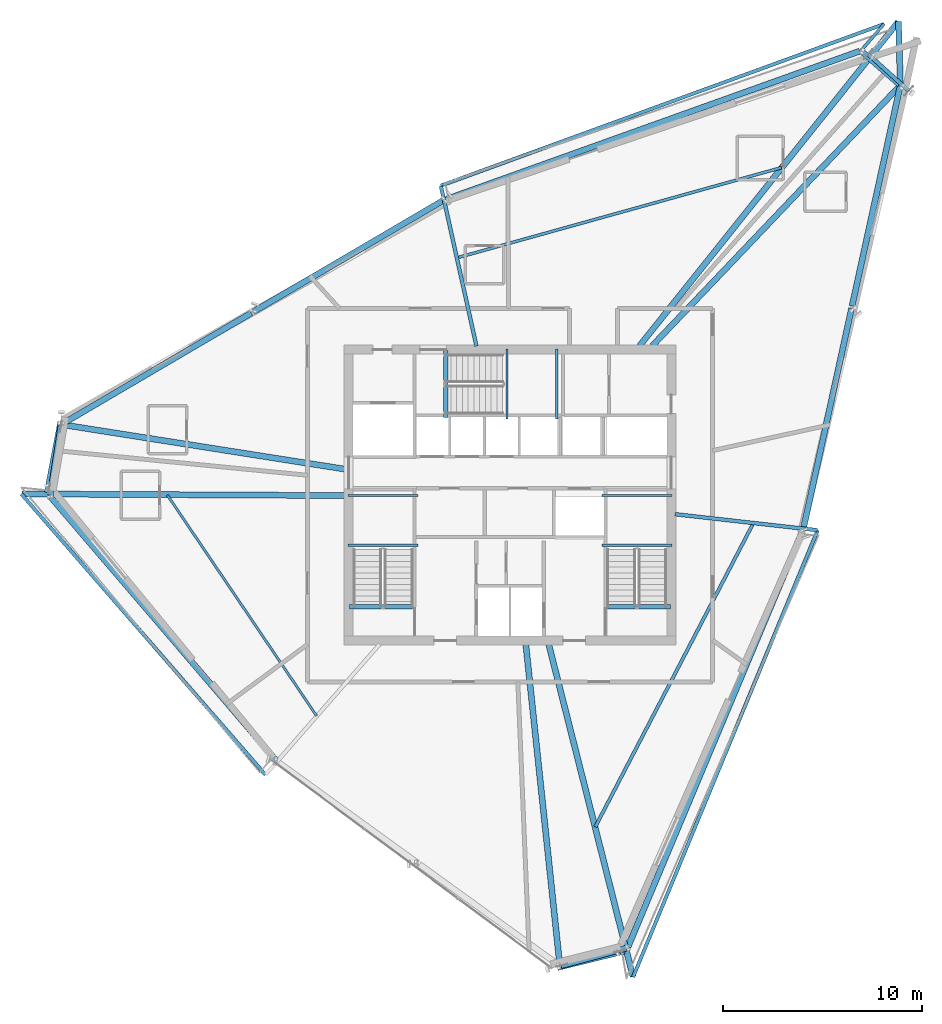
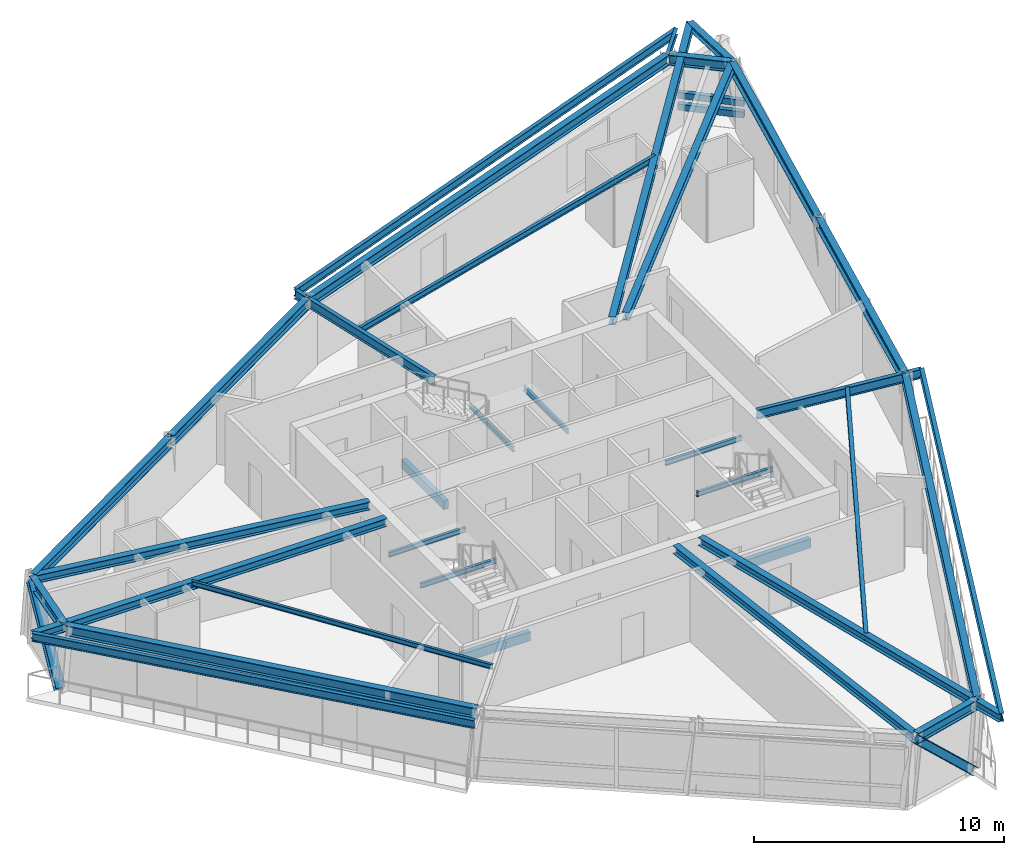
# One storey, part 4 of 14: 35 beams, 4 members.
"""IFC4 building model written with IfcOpenShell, lengths in metres."""

import ifcopenshell
import ifcopenshell.guid

model = None  # the IFC model being written
_history = None  # IfcOwnerHistory: only IFC2X3 demands one
_inside = {}  # id of a spatial element -> (the spatial element, [elements in it])
_under = {}  # id of a project, library or spatial element -> (it, [spatial elements below it])
_declared = {}  # id of a project -> (the project, [libraries it declares])
_typed = {}  # id of a type object -> (the type object, [elements of that type])
_made_of = {}  # id of a material, layer set ... -> (it, [elements and type objects made of it])


def new_model(schema):
    """Start an empty IFC model of exactly this schema.

    Asked for "IFC4X3", IfcOpenShell would pick the latest addendum, in which some entities
    have other attributes; the version numbers below select the first issue.
    IFC2X3 requires an IfcOwnerHistory on every rooted entity: one is made here for all.
    """
    global model, _history
    if schema == "IFC4X3":
        model = ifcopenshell.file(schema_version=(4, 3, 0, 0))
    else:
        model = ifcopenshell.file(schema=schema)
    _inside.clear()
    _under.clear()
    _declared.clear()
    _typed.clear()
    _made_of.clear()
    _history = None
    if model.schema == "IFC2X3":
        org = make("IfcOrganization", Name="unknown")
        user = make(
            "IfcPersonAndOrganization",
            ThePerson=make("IfcPerson", FamilyName="unknown"),
            TheOrganization=org,
        )
        app = make(
            "IfcApplication",
            ApplicationDeveloper=org,
            Version="unknown",
            ApplicationFullName="unknown",
            ApplicationIdentifier="unknown",
        )
        _history = make(
            "IfcOwnerHistory",
            OwningUser=user,
            OwningApplication=app,
            ChangeAction="ADDED",
            CreationDate=0,
        )
    return model


def make(cls, **values):
    """One entity of the class cls with the attributes given. An attribute that is None is left unset."""
    return model.create_entity(
        cls, **{name: value for name, value in values.items() if value is not None}
    )


def rooted(cls, **values):
    """An entity with a GlobalId (a new one), such as an element, a storey or a relation."""
    return make(cls, GlobalId=ifcopenshell.guid.new(), OwnerHistory=_history, **values)


def si_unit(unit_type, name, prefix=None):
    """IfcSIUnit, for example si_unit("LENGTHUNIT", "METRE", prefix="MILLI")."""
    return make("IfcSIUnit", UnitType=unit_type, Prefix=prefix, Name=name)


def assignment(units):
    """IfcUnitAssignment: the units of a project."""
    return None if units is None else make("IfcUnitAssignment", Units=units)


def point(xyz):
    """IfcCartesianPoint."""
    return None if xyz is None else make("IfcCartesianPoint", Coordinates=xyz)


def direction(xyz):
    """IfcDirection."""
    return None if xyz is None else make("IfcDirection", DirectionRatios=xyz)


def frame(location, z_axis=None, x_axis=None):
    """IfcAxis2Placement3D, a coordinate frame: its origin and axes. An axis left out is left unset."""
    return make(
        "IfcAxis2Placement3D",
        Location=point(location),
        Axis=direction(z_axis),
        RefDirection=direction(x_axis),
    )


def frame_2d(location, x_axis=None):
    """IfcAxis2Placement2D, a coordinate frame in the plane: its origin and x axis."""
    return make(
        "IfcAxis2Placement2D", Location=point(location), RefDirection=direction(x_axis)
    )


def origin():
    """The frame at (0, 0, 0) with its axes left unset."""
    return frame((0.0, 0.0, 0.0))


def origin_2d():
    """The frame at (0, 0) in the plane with its x axis left unset."""
    return frame_2d((0.0, 0.0))


def place(relative_to, where):
    """IfcLocalPlacement: puts the frame where relative to a parent placement (None: the world)."""
    return make(
        "IfcLocalPlacement", PlacementRelTo=relative_to, RelativePlacement=where
    )


def context(
    kind, dimensions, precision=None, world=None, true_north=None, identifier=None
):
    """IfcGeometricRepresentationContext, for example the 3D "Model" context."""
    return make(
        "IfcGeometricRepresentationContext",
        ContextIdentifier=identifier,
        ContextType=kind,
        CoordinateSpaceDimension=dimensions,
        Precision=precision,
        WorldCoordinateSystem=world,
        TrueNorth=true_north,
    )


def subcontext(parent, identifier, kind, view, scale=None):
    """IfcGeometricRepresentationSubContext, for example "Body" below "Model"."""
    return make(
        "IfcGeometricRepresentationSubContext",
        ContextIdentifier=identifier,
        ContextType=kind,
        ParentContext=parent,
        TargetScale=scale,
        TargetView=view,
    )


def project(units=None, contexts=None):
    """IfcProject with its units and contexts."""
    return rooted(
        "IfcProject",
        Name="project",
        RepresentationContexts=contexts,
        UnitsInContext=assignment(units),
    )


def spatial(cls, under=None, at=None, **own):
    """A site, building, storey or space (cls), placed at a placement, below another one or the project."""
    s = rooted(cls, ObjectPlacement=at, **own)
    if under is not None:
        _under.setdefault(under.id(), (under, []))[1].append(s)
    return s


def profile(cls, at=None, kind="AREA", **sizes):
    """A parametric profile (cls). Its sizes go by their IFC names, for example OverallWidth=200.0."""
    return make(cls, ProfileType=kind, Position=at, **sizes)


def rectangle(**sizes):
    """IfcRectangleProfileDef."""
    return profile("IfcRectangleProfileDef", **sizes)


def hollow_rectangle(**sizes):
    """IfcRectangleHollowProfileDef."""
    return profile("IfcRectangleHollowProfileDef", **sizes)


def i_section(**sizes):
    """IfcIShapeProfileDef."""
    return profile("IfcIShapeProfileDef", **sizes)


def extrude(swept, where, along, depth):
    """IfcExtrudedAreaSolid: the profile swept, set in the frame where, extruded along a direction by depth."""
    return make(
        "IfcExtrudedAreaSolid",
        SweptArea=swept,
        Position=where,
        ExtrudedDirection=direction(along),
        Depth=depth,
    )


def shape(context_of_items, identifier, shape_type, items):
    """IfcShapeRepresentation: the items that make up one representation, for example the "Body"."""
    return make(
        "IfcShapeRepresentation",
        ContextOfItems=context_of_items,
        RepresentationIdentifier=identifier,
        RepresentationType=shape_type,
        Items=items,
    )


def source(mapping_origin, context_of_items, identifier, shape_type, items):
    """IfcRepresentationMap: a shape defined once, which mapped items show again and again."""
    return make(
        "IfcRepresentationMap",
        MappingOrigin=mapping_origin,
        MappedRepresentation=shape(context_of_items, identifier, shape_type, items),
    )


def transform(
    local_origin,
    x_axis=None,
    y_axis=None,
    z_axis=None,
    scale=None,
    scale2=None,
    scale3=None,
    uniform=True,
):
    """IfcCartesianTransformationOperator3D, or its non-uniform kind. x_axis, y_axis, z_axis: its Axis1, 2, 3."""
    if uniform:
        return make(
            "IfcCartesianTransformationOperator3D",
            Axis1=direction(x_axis),
            Axis2=direction(y_axis),
            LocalOrigin=point(local_origin),
            Scale=scale,
            Axis3=direction(z_axis),
        )
    return make(
        "IfcCartesianTransformationOperator3DnonUniform",
        Axis1=direction(x_axis),
        Axis2=direction(y_axis),
        LocalOrigin=point(local_origin),
        Scale=scale,
        Axis3=direction(z_axis),
        Scale2=scale2,
        Scale3=scale3,
    )


def mapped(mapping_source, mapping_target):
    """IfcMappedItem: shows the shape of a source again, moved by a transform."""
    return make(
        "IfcMappedItem", MappingSource=mapping_source, MappingTarget=mapping_target
    )


def material(Name=None, Category=None):
    """IfcMaterial."""
    return make("IfcMaterial", Name=Name, Category=Category)


def material_profile(
    of_material, cross_section, Name=None, Category=None, Priority=None
):
    """IfcMaterialProfile: a cross section and its material."""
    return make(
        "IfcMaterialProfile",
        Name=Name,
        Material=of_material,
        Profile=cross_section,
        Priority=Priority,
        Category=Category,
    )


def profile_set(profiles, Name=None, composite=None):
    """IfcMaterialProfileSet."""
    return make(
        "IfcMaterialProfileSet",
        Name=Name,
        MaterialProfiles=profiles,
        CompositeProfile=composite,
    )


def made_of(thing, what):
    """Note that an element or type object is made of a material, layer set ...; save() writes the relation."""
    if what is not None:
        _made_of.setdefault(what.id(), (what, []))[1].append(thing)
    return thing


def type_object(cls, material=None, **own):
    """A type object (cls), such as IfcWallType, which elements share."""
    return made_of(rooted(cls, **own), material)


def element(
    cls,
    number,
    at=None,
    inside=None,
    cuts=None,
    type_object=None,
    material=None,
    context=None,
    identifier="Body",
    shape_type=None,
    held_by="IfcProductDefinitionShape",
    body=None,
    shapes=None,
    **own,
):
    """One element of the class cls, such as IfcWall. Its Tag is "e" and its number.

    at: its placement. inside: the storey or other place that contains it. cuts: it is an
    opening in that element (IfcRelVoidsElement). A single representation is given by context,
    identifier, shape_type and body (its items); several are given by shapes. held_by: the class
    of the entity that holds the representations. save() writes the other relations.
    """
    e = rooted(cls, Tag="e%d" % number, ObjectPlacement=at, **own)
    if body is not None:
        shapes = [shape(context, identifier, shape_type, body)]
    if shapes is not None:
        e.Representation = make(held_by, Representations=shapes)
    if inside is not None:
        _inside.setdefault(inside.id(), (inside, []))[1].append(e)
    if cuts is not None:
        rooted(
            "IfcRelVoidsElement", RelatingBuildingElement=cuts, RelatedOpeningElement=e
        )
    if type_object is not None:
        _typed.setdefault(type_object.id(), (type_object, []))[1].append(e)
    return made_of(e, material)


def aggregate(whole, parts):
    """IfcRelAggregates: a whole, such as a stair, and the parts it consists of."""
    return rooted("IfcRelAggregates", RelatingObject=whole, RelatedObjects=parts)


def save(model, path):
    """Write the relations noted so far, then the file.

    IfcRelAggregates (storeys below a building ...), IfcRelContainedInSpatialStructure (elements
    in a storey), IfcRelDefinesByType, IfcRelAssociatesMaterial and IfcRelDeclares: one each for
    every whole, place, type object, material and project.
    """
    for whole, parts in _under.values():
        aggregate(whole, parts)
    for where, things in _inside.values():
        rooted(
            "IfcRelContainedInSpatialStructure",
            RelatedElements=things,
            RelatingStructure=where,
        )
    for kind, things in _typed.values():
        rooted("IfcRelDefinesByType", RelatedObjects=things, RelatingType=kind)
    for what, things in _made_of.values():
        rooted("IfcRelAssociatesMaterial", RelatedObjects=things, RelatingMaterial=what)
    for by, libraries in _declared.values():
        rooted("IfcRelDeclares", RelatingContext=by, RelatedDefinitions=libraries)
    model.write(path)


model = new_model("IFC4")

# Units and contexts
model_context = context("Model", 3, precision=1e-05, world=origin(), true_north=direction((0.0, 1.0)))
body_context = subcontext(model_context, "Body", "Model", "MODEL_VIEW")
ifc_project = project(units=[si_unit("LENGTHUNIT", "METRE"), si_unit("AREAUNIT", "SQUARE_METRE"), si_unit("VOLUMEUNIT", "CUBIC_METRE"), si_unit("PLANEANGLEUNIT", "RADIAN"), si_unit("MASSUNIT", "GRAM", prefix="KILO")], contexts=[model_context])

# Site, building, storey
site_placement = place(None, origin())
site = spatial("IfcSite", under=ifc_project, at=site_placement, CompositionType="ELEMENT")
building_placement = place(site_placement, origin())
building = spatial("IfcBuilding", under=site, at=building_placement, Name="Olszyna Solenne Hotel", CompositionType="ELEMENT")
storey_placement = place(building_placement, frame((0.0, 0.0, 230.89990234375)))
storey = spatial("IfcBuildingStorey", under=building, at=storey_placement, Name="L61", CompositionType="ELEMENT", Elevation=230.89990234375)

# Beams
ifc_material_1 = material(Name="Steel S355J2", Category="steel")
ifc_material_profile_1 = material_profile(ifc_material_1, i_section(OverallWidth=0.14990234375, OverallDepth=0.300048828125, WebThickness=0.007080078125, FlangeThickness=0.0107421875, at=origin_2d()), Name="IPE 300", Category="load-bearing")
ifc_profile_set_1 = profile_set([ifc_material_profile_1], Name="Steel S355J2")
beam_type_1 = type_object("IfcBeamType", Name="JS-02", PredefinedType="JOIST", material=ifc_profile_set_1)
shared_shape_1 = source(origin(), body_context, "Body", "SweptSolid", [
    extrude(i_section(OverallWidth=0.14990234375, OverallDepth=0.300048828125, WebThickness=0.007080078125, FlangeThickness=0.0107421875, at=origin_2d()), origin(), (0.0, 0.0, 1.0), 1.760986328125),
])
beam_1_placement = place(storey_placement, frame((55.68017578125, 48.989013671875, 3.22998046875), z_axis=(0.655801046876, 0.754933763264, 0.0), x_axis=(-0.754933763264, 0.655801046876, 0.0)))
element("IfcBeam", 1, at=beam_1_placement, inside=storey, type_object=beam_type_1, Name="Loggia side bracket JS-02 B-L61-1822", PredefinedType="JOIST", context=body_context, shape_type="MappedRepresentation", body=[
    mapped(shared_shape_1, transform((0.0, 0.0, 0.0), x_axis=(1.0, 0.0, 0.0), y_axis=(0.0, 1.0, 0.0), z_axis=(0.0, 0.0, 1.0), scale=1.0)),
])
ifc_material_profile_2 = material_profile(ifc_material_1, i_section(OverallWidth=0.300048828125, OverallDepth=0.5, WebThickness=0.014404296875, FlangeThickness=0.028076171875, at=origin_2d()), Name="HEB 500", Category="load-bearing")
ifc_profile_set_2 = profile_set([ifc_material_profile_2], Name="Steel S355J2")
beam_type_2 = type_object("IfcBeamType", Name="BM-S3", PredefinedType="BEAM", material=ifc_profile_set_2)
shared_shape_2 = source(origin(), body_context, "Body", "SweptSolid", [
    extrude(i_section(OverallWidth=0.300048828125, OverallDepth=0.5, WebThickness=0.014404296875, FlangeThickness=0.028076171875, at=origin_2d()), origin(), (0.0, 0.0, 1.0), 2.520751953125),
])
beam_2_placement = place(storey_placement, frame((57.607421875, 47.2724609375, 3.130126953125), z_axis=(-0.751886295991, 0.659292801341, 0.0), x_axis=(-0.659292801341, -0.751886295991, 0.0)))
element("IfcBeam", 2, at=beam_2_placement, inside=storey, type_object=beam_type_2, Name="Perimeter spandrel beam BM-S3 B-L61-1796", PredefinedType="BEAM", context=body_context, shape_type="MappedRepresentation", body=[
    mapped(shared_shape_2, transform((0.0, 0.0, 0.0), x_axis=(1.0, 0.0, 0.0), y_axis=(0.0, 1.0, 0.0), z_axis=(0.0, 0.0, 1.0), scale=1.0)),
])
shared_shape_3 = source(origin(), body_context, "Body", "SweptSolid", [
    extrude(i_section(OverallWidth=0.300048828125, OverallDepth=0.5, WebThickness=0.014404296875, FlangeThickness=0.028076171875, at=origin_2d()), origin(), (0.0, 0.0, 1.0), 22.1982421875),
])
beam_3_placement = place(storey_placement, frame((55.610595703125, 48.95361328125, 3.130126953125), z_axis=(-0.941391799103, -0.337315105771, 0.0), x_axis=(0.337315105771, -0.941391799103, 0.0)))
element("IfcBeam", 3, at=beam_3_placement, inside=storey, type_object=beam_type_2, Name="Perimeter spandrel beam BM-S3 B-L61-1797", PredefinedType="BEAM", context=body_context, shape_type="MappedRepresentation", body=[
    mapped(shared_shape_3, transform((0.0, 0.0, 0.0), x_axis=(1.0, 0.0, 0.0), y_axis=(0.0, 1.0, 0.0), z_axis=(0.0, 0.0, 1.0), scale=1.0)),
])
shared_shape_4 = source(origin(), body_context, "Body", "SweptSolid", [
    extrude(i_section(OverallWidth=0.300048828125, OverallDepth=0.5, WebThickness=0.014404296875, FlangeThickness=0.028076171875, at=origin_2d()), origin(), (0.0, 0.0, 1.0), 11.0390625),
])
beam_4_placement = place(storey_placement, frame((34.605224609375, 41.415283203125, 3.130126953125), z_axis=(-0.862574837718, -0.505929490478, 0.0), x_axis=(0.505929490478, -0.862574837718, 0.0)))
element("IfcBeam", 4, at=beam_4_placement, inside=storey, type_object=beam_type_2, Name="Perimeter spandrel beam BM-S3 B-L61-1798", PredefinedType="BEAM", context=body_context, shape_type="MappedRepresentation", body=[
    mapped(shared_shape_4, transform((0.0, 0.0, 0.0), x_axis=(1.0, 0.0, 0.0), y_axis=(0.0, 1.0, 0.0), z_axis=(0.0, 0.0, 1.0), scale=1.0)),
])
shared_shape_5 = source(origin(), body_context, "Body", "SweptSolid", [
    extrude(i_section(OverallWidth=0.300048828125, OverallDepth=0.5, WebThickness=0.014404296875, FlangeThickness=0.028076171875, at=origin_2d()), origin(), (0.0, 0.0, 1.0), 11.038818359375),
])
beam_5_placement = place(storey_placement, frame((24.979736328125, 35.76953125, 3.130126953125), z_axis=(-0.862569176599, -0.505939142172, 0.0), x_axis=(0.505939142172, -0.862569176599, 0.0)))
element("IfcBeam", 5, at=beam_5_placement, inside=storey, type_object=beam_type_2, Name="Perimeter spandrel beam BM-S3 B-L61-1799", PredefinedType="BEAM", context=body_context, shape_type="MappedRepresentation", body=[
    mapped(shared_shape_5, transform((0.0, 0.0, 0.0), x_axis=(1.0, 0.0, 0.0), y_axis=(0.0, 1.0, 0.0), z_axis=(0.0, 0.0, 1.0), scale=1.0)),
])
shared_shape_6 = source(origin(), body_context, "Body", "SweptSolid", [
    extrude(i_section(OverallWidth=0.300048828125, OverallDepth=0.5, WebThickness=0.014404296875, FlangeThickness=0.028076171875, at=origin_2d()), origin(), (0.0, 0.0, 1.0), 3.539794921875),
])
beam_6_placement = place(storey_placement, frame((15.39697265625, 30.0947265625, 3.130126953125), z_axis=(-0.15291230814, -0.988239761404, 0.0), x_axis=(0.988239761404, -0.15291230814, 0.0)))
element("IfcBeam", 6, at=beam_6_placement, inside=storey, type_object=beam_type_2, Name="Perimeter spandrel beam BM-S3 B-L61-1800", PredefinedType="BEAM", context=body_context, shape_type="MappedRepresentation", body=[
    mapped(shared_shape_6, transform((0.0, 0.0, 0.0), x_axis=(1.0, 0.0, 0.0), y_axis=(0.0, 1.0, 0.0), z_axis=(0.0, 0.0, 1.0), scale=1.0)),
])
shared_shape_7 = source(origin(), body_context, "Body", "SweptSolid", [
    extrude(i_section(OverallWidth=0.300048828125, OverallDepth=0.5, WebThickness=0.014404296875, FlangeThickness=0.028076171875, at=origin_2d()), origin(), (0.0, 0.0, 1.0), 17.44921875),
])
beam_7_placement = place(storey_placement, frame((14.885498046875, 26.49169921875, 3.130126953125), z_axis=(0.650265798201, -0.759706780074, 0.0), x_axis=(0.759706780074, 0.650265798201, 0.0)))
element("IfcBeam", 7, at=beam_7_placement, inside=storey, type_object=beam_type_2, Name="Perimeter spandrel beam BM-S3 B-L61-1801", PredefinedType="BEAM", context=body_context, shape_type="MappedRepresentation", body=[
    mapped(shared_shape_7, transform((0.0, 0.0, 0.0), x_axis=(1.0, 0.0, 0.0), y_axis=(0.0, 1.0, 0.0), z_axis=(0.0, 0.0, 1.0), scale=1.0)),
])
shared_shape_8 = source(origin(), body_context, "Body", "SweptSolid", [
    extrude(i_section(OverallWidth=0.300048828125, OverallDepth=0.5, WebThickness=0.014404296875, FlangeThickness=0.028076171875, at=origin_2d()), origin(), (0.0, 0.0, 1.0), 3.4052734375),
])
beam_8_placement = place(storey_placement, frame((40.568603515625, 2.9130859375, 3.130126953125), z_axis=(0.966366896672, 0.257167301607, 0.0), x_axis=(-0.257167301607, 0.966366896672, 0.0)))
element("IfcBeam", 8, at=beam_8_placement, inside=storey, type_object=beam_type_2, Name="Perimeter spandrel beam BM-S3 B-L61-1804", PredefinedType="BEAM", context=body_context, shape_type="MappedRepresentation", body=[
    mapped(shared_shape_8, transform((0.0, 0.0, 0.0), x_axis=(1.0, 0.0, 0.0), y_axis=(0.0, 1.0, 0.0), z_axis=(0.0, 0.0, 1.0), scale=1.0)),
])
shared_shape_9 = source(origin(), body_context, "Body", "SweptSolid", [
    extrude(i_section(OverallWidth=0.300048828125, OverallDepth=0.5, WebThickness=0.014404296875, FlangeThickness=0.028076171875, at=origin_2d()), origin(), (0.0, 0.0, 1.0), 22.7490234375),
])
beam_9_placement = place(storey_placement, frame((43.940673828125, 3.859619140625, 3.130126953125), z_axis=(0.386898020095, 0.92212250924, 0.0), x_axis=(-0.92212250924, 0.386898020095, 0.0)))
element("IfcBeam", 9, at=beam_9_placement, inside=storey, type_object=beam_type_2, Name="Perimeter spandrel beam BM-S3 B-L61-1805", PredefinedType="BEAM", context=body_context, shape_type="MappedRepresentation", body=[
    mapped(shared_shape_9, transform((0.0, 0.0, 0.0), x_axis=(1.0, 0.0, 0.0), y_axis=(0.0, 1.0, 0.0), z_axis=(0.0, 0.0, 1.0), scale=1.0)),
])
shared_shape_10 = source(origin(), body_context, "Body", "SweptSolid", [
    extrude(i_section(OverallWidth=0.300048828125, OverallDepth=0.5, WebThickness=0.014404296875, FlangeThickness=0.028076171875, at=origin_2d()), origin(), (0.0, 0.0, 1.0), 11.314697265625),
])
for number, where, z_axis, x_axis, name in (
    (10, (52.7783203125, 24.95068359375, 3.130126953125), (0.213703313835, 0.976898609711, 0.0), (-0.976898609711, 0.213703313835, 0.0), "Perimeter spandrel beam BM-S3 B-L61-1806"),
    (11, (55.2216796875, 36.12109375, 3.130126953125), (0.213703313835, 0.976898609711, 0.0), (-0.976898609711, 0.213703313835, 0.0), "Perimeter spandrel beam BM-S3 B-L61-1807"),
):
    element("IfcBeam", number, at=place(storey_placement, frame(where, z_axis=z_axis, x_axis=x_axis)), inside=storey, type_object=beam_type_2, Name=name, PredefinedType="BEAM", context=body_context, shape_type="MappedRepresentation", body=[
        mapped(shared_shape_10, transform((0.0, 0.0, 0.0), x_axis=(1.0, 0.0, 0.0), y_axis=(0.0, 1.0, 0.0), z_axis=(0.0, 0.0, 1.0), scale=1.0)),
    ])
ifc_material_profile_3 = material_profile(ifc_material_1, i_section(OverallWidth=0.300048828125, OverallDepth=0.389892578125, WebThickness=0.010986328125, FlangeThickness=0.01904296875, at=origin_2d()), Name="HEA 400", Category="load-bearing")
ifc_profile_set_3 = profile_set([ifc_material_profile_3], Name="Steel S355J2")
beam_type_3 = type_object("IfcBeamType", Name="BM-G2", PredefinedType="BEAM", material=ifc_profile_set_3)
shared_shape_11 = source(origin(), body_context, "Body", "SweptSolid", [
    extrude(i_section(OverallWidth=0.300048828125, OverallDepth=0.389892578125, WebThickness=0.010986328125, FlangeThickness=0.01904296875, at=origin_2d()), origin(), (0.0, 0.0, 1.0), 18.057861328125),
])
beam_10_placement = place(storey_placement, frame((57.611083984375, 47.189453125, 3.18505859375), z_axis=(-0.689693319907, -0.724101598172, 0.0), x_axis=(0.724101598172, -0.689693319907, 0.0)))
element("IfcBeam", 12, at=beam_10_placement, inside=storey, type_object=beam_type_3, Name="Radial floor girder BM-G2 B-L61-1808", PredefinedType="BEAM", context=body_context, shape_type="MappedRepresentation", body=[
    mapped(shared_shape_11, transform((0.0, 0.0, 0.0), x_axis=(1.0, 0.0, 0.0), y_axis=(0.0, 1.0, 0.0), z_axis=(0.0, 0.0, 1.0), scale=1.0)),
])
shared_shape_12 = source(origin(), body_context, "Body", "SweptSolid", [
    extrude(i_section(OverallWidth=0.300048828125, OverallDepth=0.389892578125, WebThickness=0.010986328125, FlangeThickness=0.01904296875, at=origin_2d()), origin(), (0.0, 0.0, 1.0), 20.876220703125),
])
beam_11_placement = place(storey_placement, frame((57.545654296875, 50.425537109375, 3.18505859375), z_axis=(-0.624001681137, -0.781422998086, 0.0), x_axis=(0.781422998086, -0.624001681137, 0.0)))
element("IfcBeam", 13, at=beam_11_placement, inside=storey, type_object=beam_type_3, Name="Radial floor girder BM-G2 B-L61-1809", PredefinedType="BEAM", context=body_context, shape_type="MappedRepresentation", body=[
    mapped(shared_shape_12, transform((0.0, 0.0, 0.0), x_axis=(1.0, 0.0, 0.0), y_axis=(0.0, 1.0, 0.0), z_axis=(0.0, 0.0, 1.0), scale=1.0)),
])
ifc_material_profile_4 = material_profile(ifc_material_1, i_section(OverallWidth=0.18994140625, OverallDepth=0.449951171875, WebThickness=0.009521484375, FlangeThickness=0.0146484375, at=origin_2d()), Name="IPE 450", Category="load-bearing")
ifc_profile_set_4 = profile_set([ifc_material_profile_4], Name="Steel S355J2")
beam_type_4 = type_object("IfcBeamType", Name="BM-F4", PredefinedType="BEAM", material=ifc_profile_set_4)
shared_shape_13 = source(origin(), body_context, "Body", "SweptSolid", [
    extrude(i_section(OverallWidth=0.18994140625, OverallDepth=0.449951171875, WebThickness=0.009521484375, FlangeThickness=0.0146484375, at=origin_2d()), origin(), (0.0, 0.0, 1.0), 8.25439453125),
])
beam_12_placement = place(storey_placement, frame((34.52197265625, 42.15966796875, 3.155029296875), z_axis=(0.216708105385, -0.976236445263, 0.0), x_axis=(0.976236445263, 0.216708105385, 0.0)))
element("IfcBeam", 14, at=beam_12_placement, inside=storey, type_object=beam_type_4, Name="Radial floor girder BM-F4 B-L61-1810", PredefinedType="BEAM", context=body_context, shape_type="MappedRepresentation", body=[
    mapped(shared_shape_13, transform((0.0, 0.0, 0.0), x_axis=(1.0, 0.0, 0.0), y_axis=(0.0, 1.0, 0.0), z_axis=(0.0, 0.0, 1.0), scale=1.0)),
])
shared_shape_14 = source(origin(), body_context, "Body", "SweptSolid", [
    extrude(i_section(OverallWidth=0.300048828125, OverallDepth=0.389892578125, WebThickness=0.010986328125, FlangeThickness=0.01904296875, at=origin_2d()), origin(), (0.0, 0.0, 1.0), 14.4091796875),
])
beam_13_placement = place(storey_placement, frame((15.46533203125, 30.144775390625, 3.18505859375), z_axis=(0.987853468716, -0.15538830183, 0.0), x_axis=(0.15538830183, 0.987853468716, 0.0)))
element("IfcBeam", 15, at=beam_13_placement, inside=storey, type_object=beam_type_3, Name="Radial floor girder BM-G2 B-L61-1811", PredefinedType="BEAM", context=body_context, shape_type="MappedRepresentation", body=[
    mapped(shared_shape_14, transform((0.0, 0.0, 0.0), x_axis=(1.0, 0.0, 0.0), y_axis=(0.0, 1.0, 0.0), z_axis=(0.0, 0.0, 1.0), scale=1.0)),
])
shared_shape_15 = source(origin(), body_context, "Body", "SweptSolid", [
    extrude(i_section(OverallWidth=0.300048828125, OverallDepth=0.389892578125, WebThickness=0.010986328125, FlangeThickness=0.01904296875, at=origin_2d()), origin(), (0.0, 0.0, 1.0), 16.280517578125),
])
beam_14_placement = place(storey_placement, frame((13.419677734375, 26.65966796875, 3.18505859375), z_axis=(0.999987230373, -0.005053621508, 0.0), x_axis=(0.005053621508, 0.999987230373, 0.0)))
element("IfcBeam", 16, at=beam_14_placement, inside=storey, type_object=beam_type_3, Name="Radial floor girder BM-G2 B-L61-1812", PredefinedType="BEAM", context=body_context, shape_type="MappedRepresentation", body=[
    mapped(shared_shape_15, transform((0.0, 0.0, 0.0), x_axis=(1.0, 0.0, 0.0), y_axis=(0.0, 1.0, 0.0), z_axis=(0.0, 0.0, 1.0), scale=1.0)),
])
shared_shape_16 = source(origin(), body_context, "Body", "SweptSolid", [
    extrude(i_section(OverallWidth=0.300048828125, OverallDepth=0.389892578125, WebThickness=0.010986328125, FlangeThickness=0.01904296875, at=origin_2d()), origin(), (0.0, 0.0, 1.0), 16.232421875),
])
beam_15_placement = place(storey_placement, frame((40.50439453125, 2.95751953125, 3.18505859375), z_axis=(-0.10534241516, 0.994436008785, 0.0), x_axis=(-0.994436008785, -0.10534241516, 0.0)))
element("IfcBeam", 17, at=beam_15_placement, inside=storey, type_object=beam_type_3, Name="Radial floor girder BM-G2 B-L61-1814", PredefinedType="BEAM", context=body_context, shape_type="MappedRepresentation", body=[
    mapped(shared_shape_16, transform((0.0, 0.0, 0.0), x_axis=(1.0, 0.0, 0.0), y_axis=(0.0, 1.0, 0.0), z_axis=(0.0, 0.0, 1.0), scale=1.0)),
])
shared_shape_17 = source(origin(), body_context, "Body", "SweptSolid", [
    extrude(i_section(OverallWidth=0.300048828125, OverallDepth=0.389892578125, WebThickness=0.010986328125, FlangeThickness=0.01904296875, at=origin_2d()), origin(), (0.0, 0.0, 1.0), 17.271240234375),
])
beam_16_placement = place(storey_placement, frame((44.19140625, 2.356689453125, 3.18505859375), z_axis=(-0.245733949409, 0.969337312863, 0.0), x_axis=(-0.969337312863, -0.245733949409, 0.0)))
element("IfcBeam", 18, at=beam_16_placement, inside=storey, type_object=beam_type_3, Name="Radial floor girder BM-G2 B-L61-1815", PredefinedType="BEAM", context=body_context, shape_type="MappedRepresentation", body=[
    mapped(shared_shape_17, transform((0.0, 0.0, 0.0), x_axis=(1.0, 0.0, 0.0), y_axis=(0.0, 1.0, 0.0), z_axis=(0.0, 0.0, 1.0), scale=1.0)),
])
shared_shape_18 = source(origin(), body_context, "Body", "SweptSolid", [
    extrude(i_section(OverallWidth=0.18994140625, OverallDepth=0.449951171875, WebThickness=0.009521484375, FlangeThickness=0.0146484375, at=origin_2d()), origin(), (0.0, 0.0, 1.0), 7.2138671875),
])
beam_17_placement = place(storey_placement, frame((53.468994140625, 24.833251953125, 3.155029296875), z_axis=(-0.993728825084, 0.111816913738, 0.0), x_axis=(-0.111816913738, -0.993728825084, 0.0)))
element("IfcBeam", 19, at=beam_17_placement, inside=storey, type_object=beam_type_4, Name="Radial floor girder BM-F4 B-L61-1816", PredefinedType="BEAM", context=body_context, shape_type="MappedRepresentation", body=[
    mapped(shared_shape_18, transform((0.0, 0.0, 0.0), x_axis=(1.0, 0.0, 0.0), y_axis=(0.0, 1.0, 0.0), z_axis=(0.0, 0.0, 1.0), scale=1.0)),
])
ifc_material_profile_5 = material_profile(ifc_material_1, i_section(OverallWidth=0.300048828125, OverallDepth=0.31005859375, WebThickness=0.009033203125, FlangeThickness=0.015380859375, at=origin_2d()), Name="HEA 320", Category="load-bearing")
ifc_profile_set_5 = profile_set([ifc_material_profile_5], Name="Steel S355J2")
beam_type_5 = type_object("IfcBeamType", Name="BM-G3", PredefinedType="BEAM", material=ifc_profile_set_5)
shared_shape_19 = source(origin(), body_context, "Body", "SweptSolid", [
    extrude(i_section(OverallWidth=0.300048828125, OverallDepth=0.31005859375, WebThickness=0.009033203125, FlangeThickness=0.015380859375, at=origin_2d()), origin(), (0.0, 0.0, 1.0), 3.209716796875),
])
beam_18_placement = place(storey_placement, frame((57.652587890625, 47.23291015625, 3.22509765625), z_axis=(-0.029437051075, 0.99956663611, 0.0), x_axis=(-0.99956663611, -0.029437051075, 0.0)))
element("IfcBeam", 20, at=beam_18_placement, inside=storey, type_object=beam_type_5, Name="Prism side edge beam BM-G3 B-L61-1817", PredefinedType="BEAM", context=body_context, shape_type="MappedRepresentation", body=[
    mapped(shared_shape_19, transform((0.0, 0.0, 0.0), x_axis=(1.0, 0.0, 0.0), y_axis=(0.0, 1.0, 0.0), z_axis=(0.0, 0.0, 1.0), scale=1.0)),
])
shared_shape_20 = source(origin(), body_context, "Body", "SweptSolid", [
    extrude(i_section(OverallWidth=0.14990234375, OverallDepth=0.300048828125, WebThickness=0.007080078125, FlangeThickness=0.0107421875, at=origin_2d()), origin(), (0.0, 0.0, 1.0), 16.946044921875),
])
beam_19_placement = place(storey_placement, frame((51.671142578125, 43.087890625, 3.22998046875), z_axis=(-0.963472074316, -0.267808816159, 0.0), x_axis=(0.267808816159, -0.963472074316, 0.0)))
element("IfcBeam", 21, at=beam_19_placement, inside=storey, type_object=beam_type_1, Name="Secondary composite floor joist JS-02 B-L61-1818", PredefinedType="JOIST", context=body_context, shape_type="MappedRepresentation", body=[
    mapped(shared_shape_20, transform((0.0, 0.0, 0.0), x_axis=(1.0, 0.0, 0.0), y_axis=(0.0, 1.0, 0.0), z_axis=(0.0, 0.0, 1.0), scale=1.0)),
])
ifc_material_profile_6 = material_profile(ifc_material_1, i_section(OverallWidth=0.1201171875, OverallDepth=0.239990234375, WebThickness=0.006103515625, FlangeThickness=0.009765625, at=origin_2d()), Name="IPE 240", Category="load-bearing")
ifc_profile_set_6 = profile_set([ifc_material_profile_6], Name="Steel S355J2")
beam_type_6 = type_object("IfcBeamType", Name="JS-03", PredefinedType="JOIST", material=ifc_profile_set_6)
shared_shape_21 = source(origin(), body_context, "Body", "SweptSolid", [
    extrude(i_section(OverallWidth=0.1201171875, OverallDepth=0.239990234375, WebThickness=0.006103515625, FlangeThickness=0.009765625, at=origin_2d()), origin(), (0.0, 0.0, 1.0), 13.4169921875),
])
beam_20_placement = place(storey_placement, frame((20.74609375, 26.606201171875, 3.260009765625), z_axis=(0.560025883807, -0.828475110951, 0.0), x_axis=(0.828475110951, 0.560025883807, 0.0)))
element("IfcBeam", 22, at=beam_20_placement, inside=storey, type_object=beam_type_6, Name="Secondary composite floor joist JS-03 B-L61-1819", PredefinedType="JOIST", context=body_context, shape_type="MappedRepresentation", body=[
    mapped(shared_shape_21, transform((0.0, 0.0, 0.0), x_axis=(1.0, 0.0, 0.0), y_axis=(0.0, 1.0, 0.0), z_axis=(0.0, 0.0, 1.0), scale=1.0)),
])
ifc_material_profile_7 = material_profile(ifc_material_1, i_section(OverallWidth=0.169921875, OverallDepth=0.360107421875, WebThickness=0.008056640625, FlangeThickness=0.0126953125, at=origin_2d()), Name="IPE 360", Category="load-bearing")
ifc_profile_set_7 = profile_set([ifc_material_profile_7], Name="Steel S355J2")
beam_type_7 = type_object("IfcBeamType", Name="JS-01", PredefinedType="JOIST", material=ifc_profile_set_7)
shared_shape_22 = source(origin(), body_context, "Body", "SweptSolid", [
    extrude(i_section(OverallWidth=0.169921875, OverallDepth=0.360107421875, WebThickness=0.008056640625, FlangeThickness=0.0126953125, at=origin_2d()), origin(), (0.0, 0.0, 1.0), 17.224853515625),
])
beam_21_placement = place(storey_placement, frame((42.29345703125, 9.8974609375, 3.2001953125), z_axis=(0.461623604394, 0.887075897467, 0.0), x_axis=(-0.887075897467, 0.461623604394, 0.0)))
element("IfcBeam", 23, at=beam_21_placement, inside=storey, type_object=beam_type_7, Name="Secondary composite floor joist JS-01 B-L61-1820", PredefinedType="JOIST", context=body_context, shape_type="MappedRepresentation", body=[
    mapped(shared_shape_22, transform((0.0, 0.0, 0.0), x_axis=(1.0, 0.0, 0.0), y_axis=(0.0, 1.0, 0.0), z_axis=(0.0, 0.0, 1.0), scale=1.0)),
])
ifc_material_profile_8 = material_profile(ifc_material_1, i_section(OverallWidth=0.179931640625, OverallDepth=0.39990234375, WebThickness=0.008544921875, FlangeThickness=0.013427734375, at=origin_2d()), Name="IPE 400", Category="load-bearing")
ifc_profile_set_8 = profile_set([ifc_material_profile_8], Name="Steel S355J2")
beam_type_8 = type_object("IfcBeamType", Name="BM-F5", PredefinedType="BEAM", material=ifc_profile_set_8)
shared_shape_23 = source(origin(), body_context, "Body", "SweptSolid", [
    extrude(i_section(OverallWidth=0.179931640625, OverallDepth=0.39990234375, WebThickness=0.008544921875, FlangeThickness=0.013427734375, at=origin_2d()), origin(), (0.0, 0.0, 1.0), 23.755126953125),
])
beam_22_placement = place(storey_placement, frame((56.8349609375, 50.318359375, 3.18017578125), z_axis=(-0.939471935703, -0.342625863043, 0.0), x_axis=(0.342625863043, -0.939471935703, 0.0)))
element("IfcBeam", 24, at=beam_22_placement, inside=storey, type_object=beam_type_8, Name="Loggia outer edge beam BM-F5 B-L61-1821", PredefinedType="BEAM", context=body_context, shape_type="MappedRepresentation", body=[
    mapped(shared_shape_23, transform((0.0, 0.0, 0.0), x_axis=(1.0, 0.0, 0.0), y_axis=(0.0, 1.0, 0.0), z_axis=(0.0, 0.0, 1.0), scale=1.0)),
])
shared_shape_24 = source(origin(), body_context, "Body", "SweptSolid", [
    extrude(i_section(OverallWidth=0.179931640625, OverallDepth=0.39990234375, WebThickness=0.008544921875, FlangeThickness=0.013427734375, at=origin_2d()), origin(), (0.0, 0.0, 1.0), 18.73486328125),
])
beam_23_placement = place(storey_placement, frame((13.399658203125, 26.65966796875, 3.18017578125), z_axis=(0.655872162551, -0.754871980133, 0.0), x_axis=(0.754871980133, 0.655872162551, 0.0)))
element("IfcBeam", 25, at=beam_23_placement, inside=storey, type_object=beam_type_8, Name="Loggia outer edge beam BM-F5 B-L61-1823", PredefinedType="BEAM", context=body_context, shape_type="MappedRepresentation", body=[
    mapped(shared_shape_24, transform((0.0, 0.0, 0.0), x_axis=(1.0, 0.0, 0.0), y_axis=(0.0, 1.0, 0.0), z_axis=(0.0, 0.0, 1.0), scale=1.0)),
])
shared_shape_25 = source(origin(), body_context, "Body", "SweptSolid", [
    extrude(i_section(OverallWidth=0.179931640625, OverallDepth=0.39990234375, WebThickness=0.008544921875, FlangeThickness=0.013427734375, at=origin_2d()), origin(), (0.0, 0.0, 1.0), 24.33740234375),
])
beam_24_placement = place(storey_placement, frame((44.1962890625, 2.33740234375, 3.18017578125), z_axis=(0.381817159237, 0.924237878964, 0.0), x_axis=(-0.924237878964, 0.381817159237, 0.0)))
element("IfcBeam", 26, at=beam_24_placement, inside=storey, type_object=beam_type_8, Name="Loggia outer edge beam BM-F5 B-L61-1824", PredefinedType="BEAM", context=body_context, shape_type="MappedRepresentation", body=[
    mapped(shared_shape_25, transform((0.0, 0.0, 0.0), x_axis=(1.0, 0.0, 0.0), y_axis=(0.0, 1.0, 0.0), z_axis=(0.0, 0.0, 1.0), scale=1.0)),
])

# Members
ifc_material_profile_9 = material_profile(ifc_material_1, hollow_rectangle(XDim=0.199951171875, YDim=0.300048828125, WallThickness=0.01611328125, at=origin_2d()), Name="RHS 300x200x16", Category="load-bearing")
ifc_profile_set_9 = profile_set([ifc_material_profile_9], Name="Steel S355J2")
member_type_1 = type_object("IfcMemberType", Name="CH-PR1", PredefinedType="CHORD", material=ifc_profile_set_9)
shared_shape_26 = source(origin(), body_context, "Body", "SweptSolid", [
    extrude(hollow_rectangle(XDim=0.199951171875, YDim=0.300048828125, WallThickness=0.01611328125, at=origin_2d()), origin(), (0.0, 0.0, 1.0), 2.71630859375),
])
for number, where, z_axis, x_axis, name in (
    (27, (58.059814453125, 46.961181640625, 1.35009765625), (-0.741333458505, 0.671136873746, 0.0), (-0.671136873746, -0.741333458505, 0.0), "Glass-prism tie chord CH-PR1 M-L61-PR1"),
    (28, (58.059814453125, 46.961181640625, 0.780029296875), (-0.741333458505, 0.671136873746, 0.0), (-0.671136873746, -0.741333458505, 0.0), "Glass-prism tie chord CH-PR1 M-L61-PR2"),
):
    element("IfcMember", number, at=place(storey_placement, frame(where, z_axis=z_axis, x_axis=x_axis)), inside=storey, type_object=member_type_1, Name=name, PredefinedType="CHORD", context=body_context, shape_type="MappedRepresentation", body=[
        mapped(shared_shape_26, transform((0.0, 0.0, 0.0), x_axis=(1.0, 0.0, 0.0), y_axis=(0.0, 1.0, 0.0), z_axis=(0.0, 0.0, 1.0), scale=1.0)),
    ])
ifc_material_2 = material(Name="Steel S460M", Category="steel")
ifc_material_profile_10 = material_profile(ifc_material_2, i_section(OverallWidth=0.40087890625, OverallDepth=0.39892578125, WebThickness=0.02197265625, FlangeThickness=0.034423828125, at=origin_2d()), Name="HD 400x314", Category="load-bearing")
ifc_profile_set_10 = profile_set([ifc_material_profile_10], Name="Steel S460M")
member_type_2 = type_object("IfcMemberType", Name="BR-T3", PredefinedType="BRACE", material=ifc_profile_set_10)
shared_shape_27 = source(origin(), body_context, "Body", "SweptSolid", [
    extrude(i_section(OverallWidth=0.40087890625, OverallDepth=0.39892578125, WebThickness=0.02197265625, FlangeThickness=0.034423828125, at=origin_2d()), origin(), (0.0, 0.0, 1.0), 4.570556640625),
])
member_1_placement = place(storey_placement, frame((14.77587890625, 26.850341796875, 0.010009765625), z_axis=(0.137865175826, 0.722817341836, 0.677147165419), x_axis=(-0.982292154684, 0.187355605324, 0.0)))
element("IfcMember", 29, at=member_1_placement, inside=storey, type_object=member_type_2, Name="Perimeter braced-tube diagonal BR-T3 BR-L61-2", PredefinedType="BRACE", context=body_context, shape_type="MappedRepresentation", body=[
    mapped(shared_shape_27, transform((0.0, 0.0, 0.0), x_axis=(1.0, 0.0, 0.0), y_axis=(0.0, 1.0, 0.0), z_axis=(0.0, 0.0, 1.0), scale=1.0)),
])
shared_shape_28 = source(origin(), body_context, "Body", "SweptSolid", [
    extrude(i_section(OverallWidth=0.40087890625, OverallDepth=0.39892578125, WebThickness=0.02197265625, FlangeThickness=0.034423828125, at=origin_2d()), origin(), (0.0, 0.0, 1.0), 4.4482421875),
])
member_2_placement = place(storey_placement, frame((43.61328125, 3.660400390625, 0.010009765625), z_axis=(-0.697513392367, -0.171455805945, 0.695757122908), x_axis=(0.238704255463, -0.971092311999, 0.0)))
element("IfcMember", 30, at=member_2_placement, inside=storey, type_object=member_type_2, Name="Perimeter braced-tube diagonal BR-T3 BR-L61-3", PredefinedType="BRACE", context=body_context, shape_type="MappedRepresentation", body=[
    mapped(shared_shape_28, transform((0.0, 0.0, 0.0), x_axis=(1.0, 0.0, 0.0), y_axis=(0.0, 1.0, 0.0), z_axis=(0.0, 0.0, 1.0), scale=1.0)),
])

# Beams
shared_shape_29 = source(origin(), body_context, "Body", "SweptSolid", [
    extrude(i_section(OverallWidth=0.1201171875, OverallDepth=0.239990234375, WebThickness=0.006103515625, FlangeThickness=0.009765625, at=origin_2d()), origin(), (0.0, 0.0, 1.0), 3.539794921875),
])
for number, where, z_axis, x_axis, name in (
    (31, (33.3798828125, 24.070068359375, 1.47509765625), (-1.0, 0.0, 0.0), (0.0, -1.0, 0.0), "Stair landing support beam JS-03 SLB-ST1-0127"),
    (32, (33.3798828125, 26.580078125, 1.47509765625), (-1.0, 0.0, 0.0), (0.0, -1.0, 0.0), "Stair landing support beam JS-03 SLB-ST1-0128"),
    (33, (46.159912109375, 24.070068359375, 1.47509765625), (-1.0, 0.0, 0.0), (0.0, -1.0, 0.0), "Stair landing support beam JS-03 SLB-ST2-0367"),
    (34, (46.159912109375, 26.580078125, 1.47509765625), (-1.0, 0.0, 0.0), (0.0, -1.0, 0.0), "Stair landing support beam JS-03 SLB-ST2-0368"),
):
    element("IfcBeam", number, at=place(storey_placement, frame(where, z_axis=z_axis, x_axis=x_axis)), inside=storey, type_object=beam_type_6, Name=name, PredefinedType="JOIST", context=body_context, shape_type="MappedRepresentation", body=[
        mapped(shared_shape_29, transform((0.0, 0.0, 0.0), x_axis=(1.0, 0.0, 0.0), y_axis=(0.0, 1.0, 0.0), z_axis=(0.0, 0.0, 1.0), scale=1.0)),
    ])
ifc_material_3 = material(Name="Concrete C50/60", Category="concrete")
ifc_material_profile_11 = material_profile(ifc_material_3, rectangle(XDim=0.219970703125, YDim=0.43994140625, at=origin_2d()), Name="RC 220x440", Category="load-bearing")
ifc_profile_set_11 = profile_set([ifc_material_profile_11], Name="Concrete C50/60")
beam_type_9 = type_object("IfcBeamType", Name="BM-ST1", PredefinedType="BEAM", material=ifc_profile_set_11)
shared_shape_30 = source(origin(), body_context, "Body", "SweptSolid", [
    extrude(rectangle(XDim=0.219970703125, YDim=0.43994140625, at=origin_2d()), origin(), (0.0, 0.0, 1.0), 3.18017578125),
])
for number, where, z_axis, x_axis, name in (
    (35, (33.10009765625, 20.97998046875, -0.204833984375), (-1.0, 0.0, 0.0), (0.0, -1.0, 0.0), "Concrete stair trimmer beam BM-ST1 SHB-ST1-0223"),
    (36, (46.080078125, 20.97998046875, -0.204833984375), (-1.0, 0.0, 0.0), (0.0, -1.0, 0.0), "Concrete stair trimmer beam BM-ST1 SHB-ST2-0463"),
):
    element("IfcBeam", number, at=place(storey_placement, frame(where, z_axis=z_axis, x_axis=x_axis)), inside=storey, type_object=beam_type_9, Name=name, PredefinedType="BEAM", context=body_context, shape_type="MappedRepresentation", body=[
        mapped(shared_shape_30, transform((0.0, 0.0, 0.0), x_axis=(1.0, 0.0, 0.0), y_axis=(0.0, 1.0, 0.0), z_axis=(0.0, 0.0, 1.0), scale=1.0)),
    ])
shared_shape_31 = source(origin(), body_context, "Body", "SweptSolid", [
    extrude(i_section(OverallWidth=0.1201171875, OverallDepth=0.239990234375, WebThickness=0.006103515625, FlangeThickness=0.009765625, at=origin_2d()), origin(), (0.0, 0.0, 1.0), 3.5400390625),
])
for number, where, z_axis, x_axis, name in (
    (37, (37.85009765625, 30.419921875, 1.47509765625), (0.0, 1.0, 0.0), (-1.0, 0.0, 0.0), "Stair landing support beam JS-03 SLB-ST3-0607"),
    (38, (40.360107421875, 30.419921875, 1.47509765625), (0.0, 1.0, 0.0), (-1.0, 0.0, 0.0), "Stair landing support beam JS-03 SLB-ST3-0608"),
):
    element("IfcBeam", number, at=place(storey_placement, frame(where, z_axis=z_axis, x_axis=x_axis)), inside=storey, type_object=beam_type_6, Name=name, PredefinedType="JOIST", context=body_context, shape_type="MappedRepresentation", body=[
        mapped(shared_shape_31, transform((0.0, 0.0, 0.0), x_axis=(1.0, 0.0, 0.0), y_axis=(0.0, 1.0, 0.0), z_axis=(0.0, 0.0, 1.0), scale=1.0)),
    ])
shared_shape_32 = source(origin(), body_context, "Body", "SweptSolid", [
    extrude(rectangle(XDim=0.219970703125, YDim=0.43994140625, at=origin_2d()), origin(), (0.0, 0.0, 1.0), 3.3798828125),
])
beam_25_placement = place(storey_placement, frame((34.760009765625, 30.5, -0.204833984375), z_axis=(0.0, 1.0, 0.0), x_axis=(-1.0, 0.0, 0.0)))
element("IfcBeam", 39, at=beam_25_placement, inside=storey, type_object=beam_type_9, Name="Concrete stair trimmer beam BM-ST1 SHB-ST3-0701", PredefinedType="BEAM", context=body_context, shape_type="MappedRepresentation", body=[
    mapped(shared_shape_32, transform((0.0, 0.0, 0.0), x_axis=(1.0, 0.0, 0.0), y_axis=(0.0, 1.0, 0.0), z_axis=(0.0, 0.0, 1.0), scale=1.0)),
])

save(model, "model.ifc")
